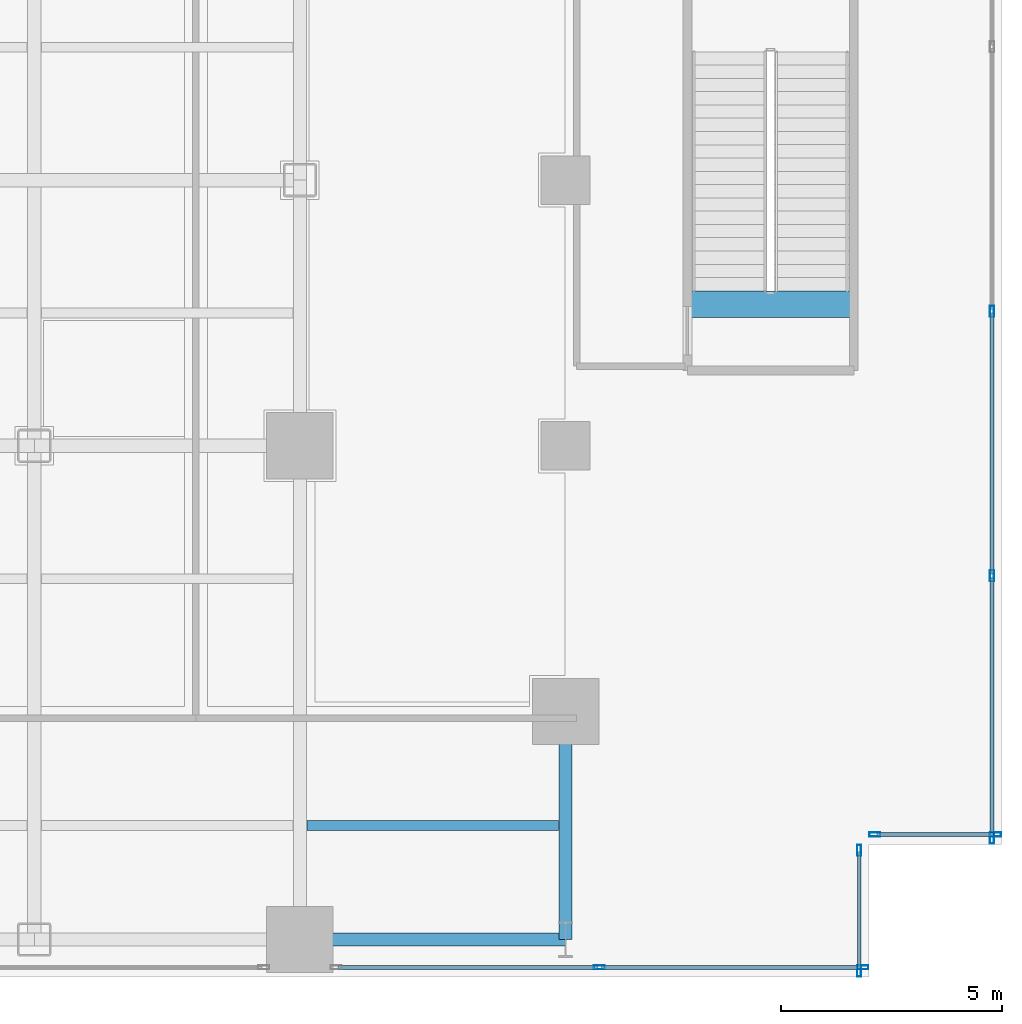
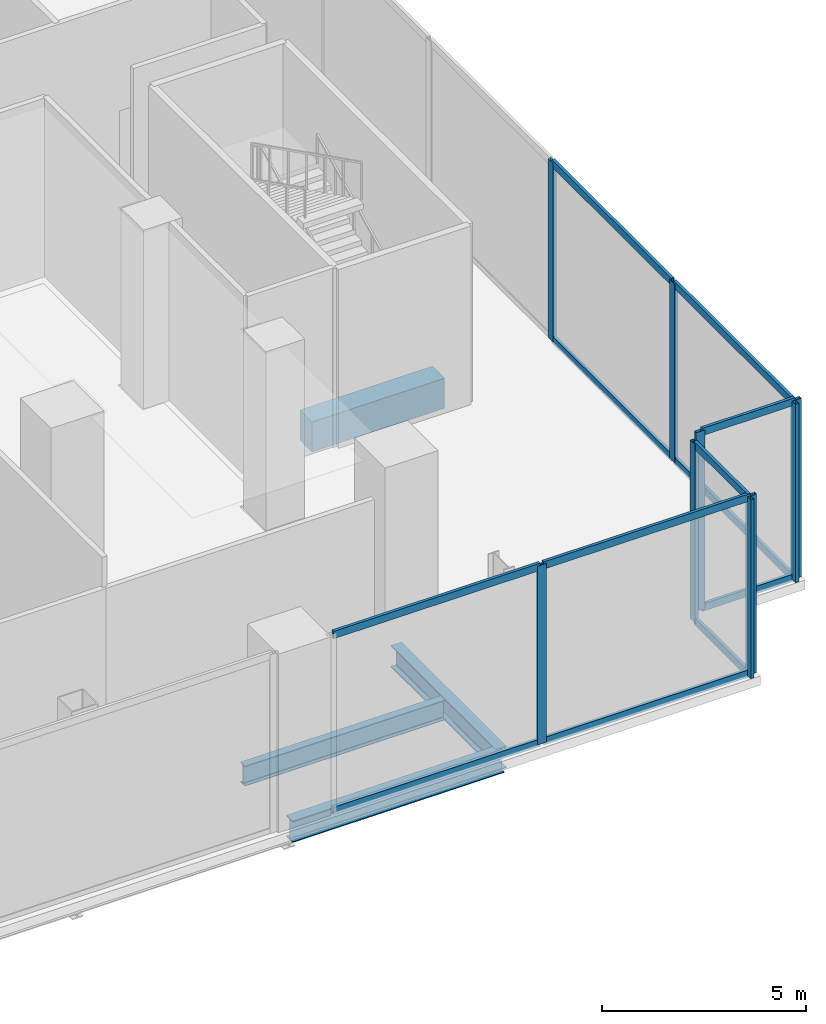
# One storey, part 10 of 27: 21 members, 4 beams, 4 elements without a shape of their own.
"""IFC4 building model written with IfcOpenShell, lengths in metres."""

from ifc_helpers import new_model, si_unit, direction, frame, origin, origin_2d, place, context, subcontext, project, spatial, rectangle, hollow_rectangle, i_section, extrude, material, layer, layer_set, material_profile, profile_set, type_object, element, aggregate, save


model = new_model("IFC4")

# Units and contexts
model_context = context("Model", 3, precision=1e-05, world=origin(), true_north=direction((0.0, 1.0)))
body_context = subcontext(model_context, "Body", "Model", "MODEL_VIEW")
ifc_project = project(units=[si_unit("LENGTHUNIT", "METRE"), si_unit("AREAUNIT", "SQUARE_METRE"), si_unit("VOLUMEUNIT", "CUBIC_METRE"), si_unit("PLANEANGLEUNIT", "RADIAN"), si_unit("MASSUNIT", "GRAM", prefix="KILO"), si_unit("THERMODYNAMICTEMPERATUREUNIT", "KELVIN"), si_unit("POWERUNIT", "WATT")], contexts=[model_context])

# Site, building, storey
site_placement = place(None, origin())
site = spatial("IfcSite", under=ifc_project, at=site_placement, CompositionType="ELEMENT")
building_placement = place(site_placement, origin())
building = spatial("IfcBuilding", under=site, at=building_placement, Name="Svarakhadi Broadcast Tower", CompositionType="ELEMENT")
storey_placement = place(building_placement, frame((0.0, 0.0, 21.89990234375)))
storey = spatial("IfcBuildingStorey", under=building, at=storey_placement, Name="L04", CompositionType="ELEMENT", Elevation=21.89990234375)

# Beam
ifc_material_1 = material(Name="Steel S355J2 (IS 2062 E350C)", Category="steel")
ifc_material_profile_1 = material_profile(ifc_material_1, i_section(OverallWidth=0.219970703125, OverallDepth=0.60009765625, WebThickness=0.011962890625, FlangeThickness=0.01904296875, FilletRadius=0.02392578125, at=origin_2d()), Name="NPB 600x220x122")
ifc_profile_set_1 = profile_set([ifc_material_profile_1], Name="Steel S355J2 (IS 2062 E350C)")
beam_type_1 = type_object("IfcBeamType", Name="Beam_NPB600", PredefinedType="BEAM", material=ifc_profile_set_1)
beam_1_placement = place(storey_placement, frame((47.31005859375, 3.425048828125, -0.574951171875), z_axis=(1.0, 0.0, 0.0), x_axis=(0.0, 1.0, 0.0)))
element("IfcBeam", 1, at=beam_1_placement, inside=storey, type_object=beam_type_1, Name="L04 Secondary Composite Beam SB027", PredefinedType="BEAM", context=body_context, shape_type="SweptSolid", body=[
    extrude(i_section(OverallWidth=0.219970703125, OverallDepth=0.60009765625, WebThickness=0.011962890625, FlangeThickness=0.01904296875, FilletRadius=0.02392578125, at=origin_2d()), origin(), (0.0, 0.0, 1.0), 5.679931640625),
])

# Curtain wall, members
ifc_material_2 = material(Name="Anodised Bronze Aluminium AA 6063-T6", Category="aluminium")
ifc_layer = layer(ifc_material_2, 0.25)
ifc_layer_set = layer_set([ifc_layer], Name="Anodised Bronze Aluminium AA 6063-T6")
curtain_wall_type = type_object("IfcCurtainWallType", Name="CW_Sys_01", PredefinedType="NOTDEFINED", material=ifc_layer_set)
curtain_wall_1_placement = place(storey_placement, origin())
curtain_wall_1 = element("IfcCurtainWall", 2, at=curtain_wall_1_placement, inside=storey, type_object=curtain_wall_type, Name="L04 Unitised Facade Curtain Wall 08", PredefinedType="NOTDEFINED")
ifc_material_profile_2 = material_profile(ifc_material_2, hollow_rectangle(XDim=0.094970703125, YDim=0.25, WallThickness=0.006103515625, at=origin_2d()), Name="ALU MULLION 250x95x6")
ifc_profile_set_2 = profile_set([ifc_material_profile_2], Name="Anodised Bronze Aluminium AA 6063-T6")
member_type_1 = type_object("IfcMemberType", Name="CW_Sys_01_Mul", PredefinedType="MULLION", material=ifc_profile_set_2)
member_1_placement = place(storey_placement, frame((62.780029296875, 15.03857421875, 0.0), z_axis=(0.0, 0.0, 1.0), x_axis=(1.0, 0.0, 0.0)))
member_1 = element("IfcMember", 3, at=member_1_placement, type_object=member_type_1, Name="CW-01 mullion 6", PredefinedType="MULLION", context=body_context, shape_type="SweptSolid", body=[
    extrude(hollow_rectangle(XDim=0.094970703125, YDim=0.25, WallThickness=0.006103515625, at=origin_2d()), origin(), (0.0, 0.0, 1.0), 5.35009765625),
])
member_2_placement = place(storey_placement, frame((62.780029296875, 9.064208984375, 0.0), z_axis=(0.0, 0.0, 1.0), x_axis=(1.0, 0.0, 0.0)))
member_2 = element("IfcMember", 4, at=member_2_placement, type_object=member_type_1, Name="CW-01 mullion 7", PredefinedType="MULLION", context=body_context, shape_type="SweptSolid", body=[
    extrude(hollow_rectangle(XDim=0.094970703125, YDim=0.25, WallThickness=0.006103515625, at=origin_2d()), origin(), (0.0, 0.0, 1.0), 5.35009765625),
])
member_3_placement = place(storey_placement, frame((62.780029296875, 3.137451171875, 0.0), z_axis=(0.0, 0.0, 1.0), x_axis=(1.0, 0.0, 0.0)))
member_3 = element("IfcMember", 5, at=member_3_placement, type_object=member_type_1, Name="CW-01 mullion 8", PredefinedType="MULLION", context=body_context, shape_type="SweptSolid", body=[
    extrude(hollow_rectangle(XDim=0.094970703125, YDim=0.25, WallThickness=0.006103515625, at=origin_2d()), origin(), (0.0, 0.0, 1.0), 5.35009765625),
])

curtain_wall_2_placement = place(storey_placement, origin())
curtain_wall_2 = element("IfcCurtainWall", 6, at=curtain_wall_2_placement, inside=storey, type_object=curtain_wall_type, Name="L04 Unitised Facade Curtain Wall 09", PredefinedType="NOTDEFINED")
member_4_placement = place(storey_placement, frame((62.862548828125, 3.219970703125, 0.0), z_axis=(0.0, 0.0, 1.0), x_axis=(0.0, -1.0, 0.0)))
member_4 = element("IfcMember", 7, at=member_4_placement, type_object=member_type_1, Name="CW-01 mullion 1", PredefinedType="MULLION", context=body_context, shape_type="SweptSolid", body=[
    extrude(hollow_rectangle(XDim=0.094970703125, YDim=0.25, WallThickness=0.006103515625, at=origin_2d()), origin(), (0.0, 0.0, 1.0), 5.35009765625),
])
member_5_placement = place(storey_placement, frame((60.137451171875, 3.219970703125, 0.0), z_axis=(0.0, 0.0, 1.0), x_axis=(0.0, -1.0, 0.0)))
member_5 = element("IfcMember", 8, at=member_5_placement, type_object=member_type_1, Name="CW-01 mullion 2", PredefinedType="MULLION", context=body_context, shape_type="SweptSolid", body=[
    extrude(hollow_rectangle(XDim=0.094970703125, YDim=0.25, WallThickness=0.006103515625, at=origin_2d()), origin(), (0.0, 0.0, 1.0), 5.35009765625),
])

curtain_wall_3_placement = place(storey_placement, origin())
curtain_wall_3 = element("IfcCurtainWall", 9, at=curtain_wall_3_placement, inside=storey, type_object=curtain_wall_type, Name="L04 Unitised Facade Curtain Wall 10", PredefinedType="NOTDEFINED")
member_6_placement = place(storey_placement, frame((59.780029296875, 2.862548828125, 0.0), z_axis=(0.0, 0.0, 1.0), x_axis=(1.0, 0.0, 0.0)))
member_6 = element("IfcMember", 10, at=member_6_placement, type_object=member_type_1, Name="CW-01 mullion 1", PredefinedType="MULLION", context=body_context, shape_type="SweptSolid", body=[
    extrude(hollow_rectangle(XDim=0.094970703125, YDim=0.25, WallThickness=0.006103515625, at=origin_2d()), origin(), (0.0, 0.0, 1.0), 5.35009765625),
])
member_7_placement = place(storey_placement, frame((59.780029296875, 0.137451171875, 0.0), z_axis=(0.0, 0.0, 1.0), x_axis=(1.0, 0.0, 0.0)))
member_7 = element("IfcMember", 11, at=member_7_placement, type_object=member_type_1, Name="CW-01 mullion 2", PredefinedType="MULLION", context=body_context, shape_type="SweptSolid", body=[
    extrude(hollow_rectangle(XDim=0.094970703125, YDim=0.25, WallThickness=0.006103515625, at=origin_2d()), origin(), (0.0, 0.0, 1.0), 5.35009765625),
])

curtain_wall_4_placement = place(storey_placement, origin())
curtain_wall_4 = element("IfcCurtainWall", 12, at=curtain_wall_4_placement, inside=storey, type_object=curtain_wall_type, Name="L04 South Curtain Wall 11 Bay 1", PredefinedType="NOTDEFINED")
member_8_placement = place(storey_placement, frame((59.862548828125, 0.219970703125, 0.0), z_axis=(0.0, 0.0, 1.0), x_axis=(0.0, -1.0, 0.0)))
member_8 = element("IfcMember", 13, at=member_8_placement, type_object=member_type_1, Name="CW-01 mullion 1", PredefinedType="MULLION", context=body_context, shape_type="SweptSolid", body=[
    extrude(hollow_rectangle(XDim=0.094970703125, YDim=0.25, WallThickness=0.006103515625, at=origin_2d()), origin(), (0.0, 0.0, 1.0), 5.35009765625),
])
member_9_placement = place(storey_placement, frame((53.9150390625, 0.219970703125, 0.0), z_axis=(0.0, 0.0, 1.0), x_axis=(0.0, -1.0, 0.0)))
member_9 = element("IfcMember", 14, at=member_9_placement, type_object=member_type_1, Name="CW-01 mullion 2", PredefinedType="MULLION", context=body_context, shape_type="SweptSolid", body=[
    extrude(hollow_rectangle(XDim=0.094970703125, YDim=0.25, WallThickness=0.006103515625, at=origin_2d()), origin(), (0.0, 0.0, 1.0), 5.35009765625),
])

# Member
ifc_material_profile_3 = material_profile(ifc_material_2, hollow_rectangle(XDim=0.0849609375, YDim=0.219970703125, WallThickness=0.0048828125, at=origin_2d()), Name="ALU TRANSOM 220x85x5")
ifc_profile_set_3 = profile_set([ifc_material_profile_3], Name="Anodised Bronze Aluminium AA 6063-T6")
member_type_2 = type_object("IfcMemberType", Name="CW_Sys_01_Trn", PredefinedType="USERDEFINED", material=ifc_profile_set_3)
member_10_placement = place(storey_placement, frame((62.780029296875, 14.990966796875, 0.04248046875), z_axis=(0.0, -1.0, 0.0), x_axis=(1.0, 0.0, 0.0)))
member_10 = element("IfcMember", 15, at=member_10_placement, type_object=member_type_2, Name="CW-01 transom 6.1", ObjectType="TRANSOM", PredefinedType="USERDEFINED", context=body_context, shape_type="SweptSolid", body=[
    extrude(hollow_rectangle(XDim=0.0849609375, YDim=0.219970703125, WallThickness=0.0048828125, at=origin_2d()), origin(), (0.0, 0.0, 1.0), 5.879150390625),
])

member_11_placement = place(storey_placement, frame((62.780029296875, 14.990966796875, 5.3076171875), z_axis=(0.0, -1.0, 0.0), x_axis=(1.0, 0.0, 0.0)))
member_11 = element("IfcMember", 16, at=member_11_placement, type_object=member_type_2, Name="CW-01 transom 6.2", ObjectType="TRANSOM", PredefinedType="USERDEFINED", context=body_context, shape_type="SweptSolid", body=[
    extrude(hollow_rectangle(XDim=0.0849609375, YDim=0.219970703125, WallThickness=0.0048828125, at=origin_2d()), origin(), (0.0, 0.0, 1.0), 5.879150390625),
])

member_12_placement = place(storey_placement, frame((62.780029296875, 9.016845703125, 0.04248046875), z_axis=(0.0, -1.0, 0.0), x_axis=(1.0, 0.0, 0.0)))
member_12 = element("IfcMember", 17, at=member_12_placement, type_object=member_type_2, Name="CW-01 transom 7.1", ObjectType="TRANSOM", PredefinedType="USERDEFINED", context=body_context, shape_type="SweptSolid", body=[
    extrude(hollow_rectangle(XDim=0.0849609375, YDim=0.219970703125, WallThickness=0.0048828125, at=origin_2d()), origin(), (0.0, 0.0, 1.0), 5.831787109375),
])

member_13_placement = place(storey_placement, frame((62.780029296875, 9.016845703125, 5.3076171875), z_axis=(0.0, -1.0, 0.0), x_axis=(1.0, 0.0, 0.0)))
member_13 = element("IfcMember", 18, at=member_13_placement, type_object=member_type_2, Name="CW-01 transom 7.2", ObjectType="TRANSOM", PredefinedType="USERDEFINED", context=body_context, shape_type="SweptSolid", body=[
    extrude(hollow_rectangle(XDim=0.0849609375, YDim=0.219970703125, WallThickness=0.0048828125, at=origin_2d()), origin(), (0.0, 0.0, 1.0), 5.831787109375),
])

aggregate(curtain_wall_1, [member_1, member_2, member_3, member_10, member_11, member_12, member_13])

member_14_placement = place(storey_placement, frame((62.81494140625, 3.219970703125, 0.04248046875), z_axis=(-1.0, 0.0, 0.0), x_axis=(0.0, -1.0, 0.0)))
member_14 = element("IfcMember", 19, at=member_14_placement, type_object=member_type_2, Name="CW-01 transom 1.1", ObjectType="TRANSOM", PredefinedType="USERDEFINED", context=body_context, shape_type="SweptSolid", body=[
    extrude(hollow_rectangle(XDim=0.0849609375, YDim=0.219970703125, WallThickness=0.0048828125, at=origin_2d()), origin(), (0.0, 0.0, 1.0), 2.6298828125),
])

member_15_placement = place(storey_placement, frame((62.81494140625, 3.219970703125, 5.3076171875), z_axis=(-1.0, 0.0, 0.0), x_axis=(0.0, -1.0, 0.0)))
member_15 = element("IfcMember", 20, at=member_15_placement, type_object=member_type_2, Name="CW-01 transom 1.2", ObjectType="TRANSOM", PredefinedType="USERDEFINED", context=body_context, shape_type="SweptSolid", body=[
    extrude(hollow_rectangle(XDim=0.0849609375, YDim=0.219970703125, WallThickness=0.0048828125, at=origin_2d()), origin(), (0.0, 0.0, 1.0), 2.6298828125),
])

aggregate(curtain_wall_2, [member_4, member_5, member_14, member_15])

member_16_placement = place(storey_placement, frame((59.780029296875, 2.81494140625, 0.04248046875), z_axis=(0.0, -1.0, 0.0), x_axis=(1.0, 0.0, 0.0)))
member_16 = element("IfcMember", 21, at=member_16_placement, type_object=member_type_2, Name="CW-01 transom 1.1", ObjectType="TRANSOM", PredefinedType="USERDEFINED", context=body_context, shape_type="SweptSolid", body=[
    extrude(hollow_rectangle(XDim=0.0849609375, YDim=0.219970703125, WallThickness=0.0048828125, at=origin_2d()), origin(), (0.0, 0.0, 1.0), 2.6298828125),
])

member_17_placement = place(storey_placement, frame((59.780029296875, 2.81494140625, 5.3076171875), z_axis=(0.0, -1.0, 0.0), x_axis=(1.0, 0.0, 0.0)))
member_17 = element("IfcMember", 22, at=member_17_placement, type_object=member_type_2, Name="CW-01 transom 1.2", ObjectType="TRANSOM", PredefinedType="USERDEFINED", context=body_context, shape_type="SweptSolid", body=[
    extrude(hollow_rectangle(XDim=0.0849609375, YDim=0.219970703125, WallThickness=0.0048828125, at=origin_2d()), origin(), (0.0, 0.0, 1.0), 2.6298828125),
])

aggregate(curtain_wall_3, [member_6, member_7, member_16, member_17])

member_18_placement = place(storey_placement, frame((59.81494140625, 0.219970703125, 0.04248046875), z_axis=(-1.0, 0.0, 0.0), x_axis=(0.0, -1.0, 0.0)))
member_18 = element("IfcMember", 23, at=member_18_placement, type_object=member_type_2, Name="CW-01 transom 1.1", ObjectType="TRANSOM", PredefinedType="USERDEFINED", context=body_context, shape_type="SweptSolid", body=[
    extrude(hollow_rectangle(XDim=0.0849609375, YDim=0.219970703125, WallThickness=0.0048828125, at=origin_2d()), origin(), (0.0, 0.0, 1.0), 5.8525390625),
])

member_19_placement = place(storey_placement, frame((59.81494140625, 0.219970703125, 5.3076171875), z_axis=(-1.0, 0.0, 0.0), x_axis=(0.0, -1.0, 0.0)))
member_19 = element("IfcMember", 24, at=member_19_placement, type_object=member_type_2, Name="CW-01 transom 1.2", ObjectType="TRANSOM", PredefinedType="USERDEFINED", context=body_context, shape_type="SweptSolid", body=[
    extrude(hollow_rectangle(XDim=0.0849609375, YDim=0.219970703125, WallThickness=0.0048828125, at=origin_2d()), origin(), (0.0, 0.0, 1.0), 5.8525390625),
])

member_20_placement = place(storey_placement, frame((53.867431640625, 0.219970703125, 0.04248046875), z_axis=(-1.0, 0.0, 0.0), x_axis=(0.0, -1.0, 0.0)))
member_20 = element("IfcMember", 25, at=member_20_placement, type_object=member_type_2, Name="CW-01 transom 2.1", ObjectType="TRANSOM", PredefinedType="USERDEFINED", context=body_context, shape_type="SweptSolid", body=[
    extrude(hollow_rectangle(XDim=0.0849609375, YDim=0.219970703125, WallThickness=0.0048828125, at=origin_2d()), origin(), (0.0, 0.0, 1.0), 5.8525390625),
])

member_21_placement = place(storey_placement, frame((53.867431640625, 0.219970703125, 5.3076171875), z_axis=(-1.0, 0.0, 0.0), x_axis=(0.0, -1.0, 0.0)))
member_21 = element("IfcMember", 26, at=member_21_placement, type_object=member_type_2, Name="CW-01 transom 2.2", ObjectType="TRANSOM", PredefinedType="USERDEFINED", context=body_context, shape_type="SweptSolid", body=[
    extrude(hollow_rectangle(XDim=0.0849609375, YDim=0.219970703125, WallThickness=0.0048828125, at=origin_2d()), origin(), (0.0, 0.0, 1.0), 5.8525390625),
])

aggregate(curtain_wall_4, [member_8, member_9, member_18, member_19, member_20, member_21])

# Beams
ifc_material_3 = material(Name="Concrete C50/60 (IS 456 M60)", Category="concrete")
ifc_material_profile_4 = material_profile(ifc_material_3, rectangle(XDim=0.60009765625, YDim=0.89990234375, at=origin_2d()), Name="RC 600x900")
ifc_profile_set_4 = profile_set([ifc_material_profile_4], Name="Concrete C50/60 (IS 456 M60)")
beam_type_2 = type_object("IfcBeamType", Name="Coupling_RC600", PredefinedType="USERDEFINED", material=ifc_profile_set_4)
beam_2_placement = place(storey_placement, frame((55.89990234375, 15.199951171875, -0.449951171875), z_axis=(1.0, 0.0, 0.0), x_axis=(0.0, 1.0, 0.0)))
element("IfcBeam", 27, at=beam_2_placement, inside=storey, type_object=beam_type_2, Name="L04 Stair ST-04 Landing Throat Trimmer Beam CB-01", ObjectType="GIRDER", PredefinedType="USERDEFINED", context=body_context, shape_type="SweptSolid", body=[
    extrude(rectangle(XDim=0.60009765625, YDim=0.89990234375, at=origin_2d()), origin(), (0.0, 0.0, 1.0), 3.760009765625),
])
ifc_material_profile_5 = material_profile(ifc_material_1, i_section(OverallWidth=0.300048828125, OverallDepth=0.64990234375, WebThickness=0.01611328125, FlangeThickness=0.031005859375, FilletRadius=0.027099609375, at=origin_2d()), Name="WPB 650x300x225")
ifc_profile_set_5 = profile_set([ifc_material_profile_5], Name="Steel S355J2 (IS 2062 E350C)")
beam_type_3 = type_object("IfcBeamType", Name="Girder_WPB650", PredefinedType="USERDEFINED", material=ifc_profile_set_5)
beam_3_placement = place(storey_placement, frame((47.14990234375, 0.85009765625, -0.599853515625), z_axis=(1.0, 0.0, 0.0), x_axis=(0.0, 1.0, 0.0)))
element("IfcBeam", 28, at=beam_3_placement, inside=storey, type_object=beam_type_3, Name="L04 Primary E-W Girder G011", ObjectType="GIRDER", PredefinedType="USERDEFINED", context=body_context, shape_type="SweptSolid", body=[
    extrude(i_section(OverallWidth=0.300048828125, OverallDepth=0.64990234375, WebThickness=0.01611328125, FlangeThickness=0.031005859375, FilletRadius=0.027099609375, at=origin_2d()), origin(), (0.0, 0.0, 1.0), 6.0),
])
beam_4_placement = place(storey_placement, frame((53.14990234375, 0.85009765625, -0.599853515625), z_axis=(0.0, 1.0, 0.0), x_axis=(-1.0, 0.0, 0.0)))
element("IfcBeam", 29, at=beam_4_placement, inside=storey, type_object=beam_type_3, Name="L04 Primary N-S Girder G084", ObjectType="GIRDER", PredefinedType="USERDEFINED", context=body_context, shape_type="SweptSolid", body=[
    extrude(i_section(OverallWidth=0.300048828125, OverallDepth=0.64990234375, WebThickness=0.01611328125, FlangeThickness=0.031005859375, FilletRadius=0.027099609375, at=origin_2d()), origin(), (0.0, 0.0, 1.0), 5.14990234375),
])

save(model, "model.ifc")
